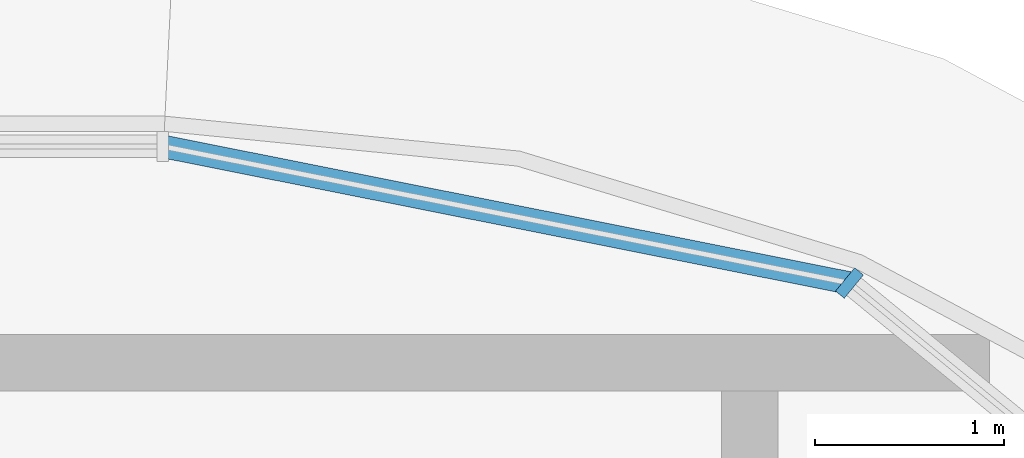
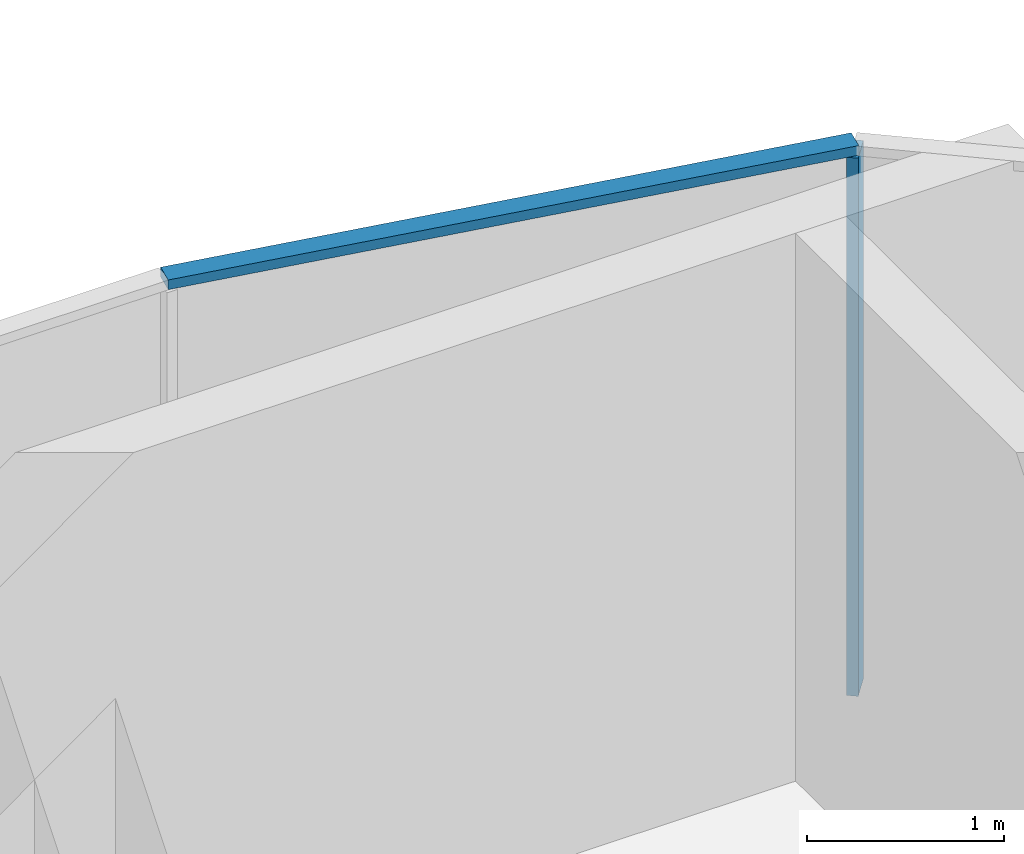
# One storey, part 5 of 25: 2 members, 1 element without a shape of its own.
"""IFC4 building model written with IfcOpenShell, lengths in metres."""

from ifc_helpers import new_model, si_unit, direction, frame, origin, origin_2d, place, context, subcontext, project, spatial, rectangle, extrude, material, material_profile, profile_set, type_object, element, aggregate, save


model = new_model("IFC4")

# Units and contexts
model_context = context("Model", 3, precision=1e-05, world=origin(), true_north=direction((0.0, 1.0)))
body_context = subcontext(model_context, "Body", "Model", "MODEL_VIEW")
ifc_project = project(units=[si_unit("LENGTHUNIT", "METRE"), si_unit("AREAUNIT", "SQUARE_METRE"), si_unit("VOLUMEUNIT", "CUBIC_METRE"), si_unit("PLANEANGLEUNIT", "RADIAN"), si_unit("MASSUNIT", "GRAM", prefix="KILO")], contexts=[model_context])

# Site, building, storey
site_placement = place(None, origin())
site = spatial("IfcSite", under=ifc_project, at=site_placement, CompositionType="ELEMENT")
building_placement = place(site_placement, origin())
building = spatial("IfcBuilding", under=site, at=building_placement, Name="Ogive Portal Towers", CompositionType="ELEMENT")
storey_placement = place(building_placement, frame((0.0, 0.0, 116.699951171875)))
storey = spatial("IfcBuildingStorey", under=building, at=storey_placement, Name="L28", CompositionType="ELEMENT", Elevation=116.699951171875)

# Curtain wall, members
ifc_material_1 = material(Name="Glass, clear low-iron insulated glazing", Category="glass")
curtain_wall_type = type_object("IfcCurtainWallType", Name="CW FRONT RIBBON 4500", PredefinedType="NOTDEFINED", material=ifc_material_1)
curtain_wall_placement = place(storey_placement, origin())
curtain_wall = element("IfcCurtainWall", 1, at=curtain_wall_placement, inside=storey, type_object=curtain_wall_type, Name="A:L28:f13:cwa", PredefinedType="NOTDEFINED")
ifc_material_2 = material(Name="Aluminium 6063 anodised", Category="aluminium")
ifc_material_profile_1 = material_profile(ifc_material_2, rectangle(XDim=0.159912109375, YDim=0.06005859375, at=origin_2d()), Name="AL 60x160")
ifc_profile_set_1 = profile_set([ifc_material_profile_1], Name="Aluminium 6063 anodised")
member_type_1 = type_object("IfcMemberType", Name="CW MULLION 60x160", PredefinedType="MULLION", material=ifc_profile_set_1)
member_1_placement = place(storey_placement, frame((91.12890625, 41.271484375, 0.0), z_axis=(0.0, 0.0, 1.0), x_axis=(-0.634393284164, -0.773010453363, 0.0)))
member_1 = element("IfcMember", 2, at=member_1_placement, type_object=member_type_1, Name="mullion", PredefinedType="MULLION", context=body_context, shape_type="SweptSolid", body=[
    extrude(rectangle(XDim=0.159912109375, YDim=0.06005859375, at=origin_2d()), origin(), (0.0, 0.0, 1.0), 3.340087890625),
])
ifc_material_profile_2 = material_profile(ifc_material_2, rectangle(XDim=0.1201171875, YDim=0.06005859375, at=origin_2d()), Name="AL 120x60")
ifc_profile_set_2 = profile_set([ifc_material_profile_2], Name="Aluminium 6063 anodised")
member_type_2 = type_object("IfcMemberType", Name="CW TRANSOM 60x120", PredefinedType="USERDEFINED", material=ifc_profile_set_2)
member_2_placement = place(storey_placement, frame((91.12890625, 41.271484375, 3.3701171875), z_axis=(-0.980772662828, 0.195153744134, 0.0), x_axis=(-0.195153744134, -0.980772662828, 0.0)))
member_2 = element("IfcMember", 3, at=member_2_placement, type_object=member_type_2, Name="transom", ObjectType="TRANSOM", PredefinedType="USERDEFINED", context=body_context, shape_type="SweptSolid", body=[
    extrude(rectangle(XDim=0.1201171875, YDim=0.06005859375, at=origin_2d()), origin(), (0.0, 0.0, 1.0), 3.7080078125),
])
aggregate(curtain_wall, [member_2, member_1])

save(model, "model.ifc")
